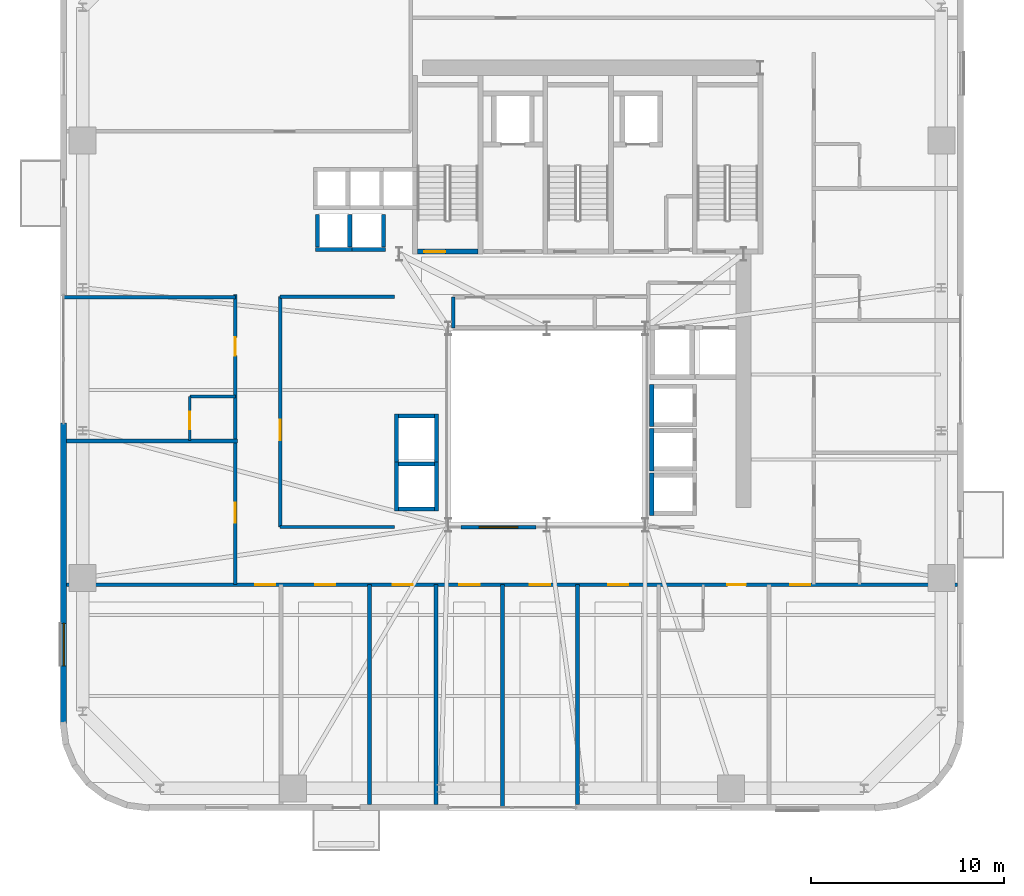
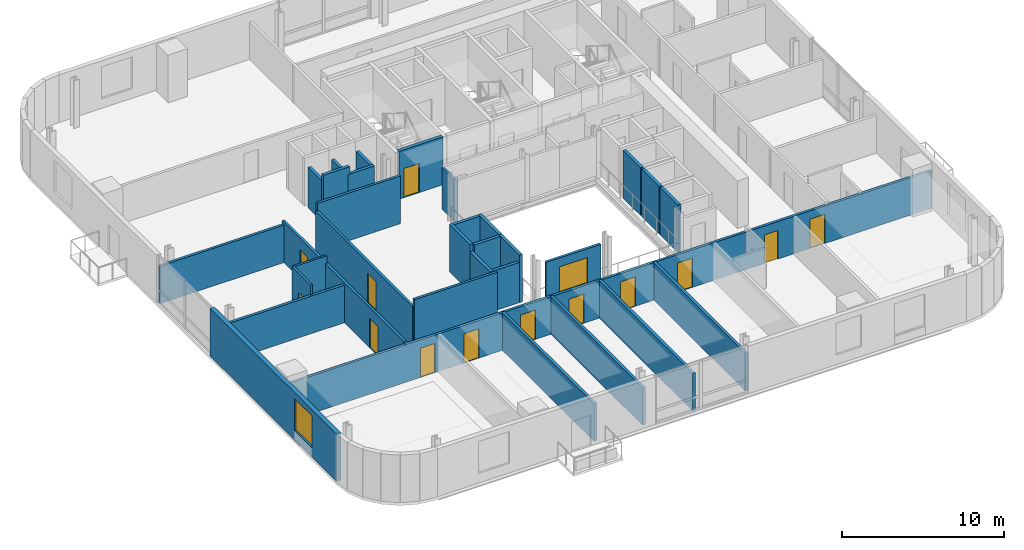
# One storey, part 7 of 14: 32 walls, 13 doors, 2 windows, 15 openings.
"""IFC4 building model written with IfcOpenShell, lengths in metres."""

from ifc_helpers import new_model, si_unit, direction, frame, frame_2d, origin, place, context, subcontext, project, spatial, rectangle, extrude, source, transform, mapped, material, layer, layer_set, type_object, element, fill, save


model = new_model("IFC4")

# Units and contexts
model_context = context("Model", 3, precision=1e-05, world=origin(), true_north=direction((0.0, 1.0)))
body_context = subcontext(model_context, "Body", "Model", "MODEL_VIEW")
ifc_project = project(units=[si_unit("LENGTHUNIT", "METRE"), si_unit("AREAUNIT", "SQUARE_METRE"), si_unit("VOLUMEUNIT", "CUBIC_METRE"), si_unit("PLANEANGLEUNIT", "RADIAN"), si_unit("MASSUNIT", "GRAM", prefix="KILO")], contexts=[model_context])

# Site, building, storey
site_placement = place(None, origin())
site = spatial("IfcSite", under=ifc_project, at=site_placement, CompositionType="ELEMENT")
building_placement = place(site_placement, origin())
building = spatial("IfcBuilding", under=site, at=building_placement, Name="Vardaveli Station Tower", CompositionType="ELEMENT")
storey_placement = place(building_placement, frame((0.0, 0.0, 177.199951171875)))
storey = spatial("IfcBuildingStorey", under=building, at=storey_placement, Name="L45", CompositionType="ELEMENT", Elevation=177.199951171875)

# Wall, opening, window
ifc_material_1 = material(Name="Precast concrete C45/55", Category="concrete")
ifc_layer_1 = layer(ifc_material_1, 0.320068359375, Name="Precast concrete C45/55")
ifc_layer_set_1 = layer_set([ifc_layer_1], Name="Precast concrete C45/55")
wall_type_1 = type_object("IfcWallType", Name="WAL-EXT-STONE-320", PredefinedType="SOLIDWALL", material=ifc_layer_set_1)
shared_shape_1 = source(origin(), body_context, "Body", "SweptSolid", [
    extrude(rectangle(XDim=15.599853515625, YDim=0.320068359375, at=frame_2d((7.7998046875, 0.0))), origin(), (0.0, 0.0, 1.0), 3.580078125),
])
wall_1_placement = place(storey_placement, frame((11.260009765625, 21.89990234375, 0.0), z_axis=(0.0, 0.0, 1.0), x_axis=(0.0, -1.0, 0.0)))
wall_1 = element("IfcWall", 1, at=wall_1_placement, inside=storey, type_object=wall_type_1, Name="EW-L45-W2", PredefinedType="SOLIDWALL", context=body_context, shape_type="MappedRepresentation", body=[
    mapped(shared_shape_1, transform((0.0, 0.0, 0.0), scale=1.0)),
])
shared_shape_2 = source(origin(), body_context, "Body", "SweptSolid", [
    extrude(rectangle(XDim=2.199951171875, YDim=2.39990234375, at=frame_2d((1.10009765625, 1.199951171875))), frame((0.0, 0.169921875, 0.0), z_axis=(0.0, -1.0, 0.0), x_axis=(1.0, 0.0, 0.0)), (0.0, 0.0, 1.0), 0.340087890625),
])
opening_1_placement = place(wall_1_placement, frame((10.39501953125, 0.0, 0.719970703125)))
opening_1 = element("IfcOpeningElement", 2, at=opening_1_placement, cuts=wall_1, Name="Opening W-03", PredefinedType="OPENING", context=body_context, shape_type="MappedRepresentation", body=[
    mapped(shared_shape_2, transform((0.0, 0.0, 0.0), scale=1.0)),
])
ifc_material_2 = material(Name="Low-E solar-control glass", Category="glass")
window_type_1 = type_object("IfcWindowType", Name="WIN-LOG-2200x2400", PartitioningType="SINGLE_PANEL", PredefinedType="WINDOW", material=ifc_material_2)
shared_shape_3 = source(origin(), body_context, "Body", "SweptSolid", [
    extrude(rectangle(XDim=2.199951171875, YDim=2.39990234375, at=frame_2d((1.10009765625, 1.199951171875))), frame((0.0, 0.030029296875, 0.0), z_axis=(0.0, -1.0, 0.0), x_axis=(1.0, 0.0, 0.0)), (0.0, 0.0, 1.0), 0.06005859375),
])
window_1_placement = place(opening_1_placement, origin())
window_1 = element("IfcWindow", 3, at=window_1_placement, inside=storey, type_object=window_type_1, Name="WN-L45-W2", OverallHeight=2.39990234375, OverallWidth=2.199951171875, PartitioningType="SINGLE_PANEL", PredefinedType="WINDOW", context=body_context, shape_type="MappedRepresentation", body=[
    mapped(shared_shape_3, transform((0.0, 0.0, 0.0), scale=1.0)),
])
fill(opening_1, window_1)

# Wall, opening, door
ifc_material_3 = material(Name="Concrete C40/50", Category="concrete")
ifc_layer_2 = layer(ifc_material_3, 0.25, Name="Concrete C40/50")
ifc_layer_set_2 = layer_set([ifc_layer_2], Name="Concrete C40/50")
wall_type_2 = type_object("IfcWallType", Name="WAL-SHAFT-250", PredefinedType="SOLIDWALL", material=ifc_layer_set_2)
shared_shape_4 = source(origin(), body_context, "Body", "SweptSolid", [
    extrude(rectangle(XDim=3.14990234375, YDim=0.25, at=frame_2d((1.574951171875, 0.0))), origin(), (0.0, 0.0, 1.0), 3.60009765625),
])
wall_2_placement = place(storey_placement, frame((29.60009765625, 30.77490234375, 0.0), z_axis=(0.0, 0.0, 1.0), x_axis=(1.0, 0.0, 0.0)))
wall_2 = element("IfcWall", 4, at=wall_2_placement, inside=storey, type_object=wall_type_2, Name="W-L45-ST-1S", PredefinedType="SOLIDWALL", context=body_context, shape_type="MappedRepresentation", body=[
    mapped(shared_shape_4, transform((0.0, 0.0, 0.0), scale=1.0)),
])
shared_shape_5 = source(origin(), body_context, "Body", "SweptSolid", [
    extrude(rectangle(XDim=1.10009765625, YDim=2.199951171875, at=frame_2d((0.550048828125, 1.10009765625))), frame((0.0, 0.135009765625, 0.0), z_axis=(0.0, -1.0, 0.0), x_axis=(1.0, 0.0, 0.0)), (0.0, 0.0, 1.0), 0.27001953125),
])
opening_2_placement = place(wall_2_placement, frame((0.35009765625, 0.0, 0.0)))
opening_2 = element("IfcOpeningElement", 5, at=opening_2_placement, cuts=wall_2, Name="Opening D-04", PredefinedType="OPENING", context=body_context, shape_type="MappedRepresentation", body=[
    mapped(shared_shape_5, transform((0.0, 0.0, 0.0), scale=1.0)),
])
ifc_material_4 = material(Name="Steel smokeproof fire doorset", Category="steel")
door_type_1 = type_object("IfcDoorType", Name="DR-ST-1100x2200", OperationType="NOTDEFINED", PredefinedType="DOOR", material=ifc_material_4)
shared_shape_6 = source(origin(), body_context, "Body", "SweptSolid", [
    extrude(rectangle(XDim=1.10009765625, YDim=2.199951171875, at=frame_2d((0.550048828125, 1.10009765625))), frame((0.0, 0.02490234375, 0.0), z_axis=(0.0, -1.0, 0.0), x_axis=(1.0, 0.0, 0.0)), (0.0, 0.0, 1.0), 0.050048828125),
])
door_1_placement = place(opening_2_placement, origin())
door_1 = element("IfcDoor", 6, at=door_1_placement, inside=storey, type_object=door_type_1, Name="DST-1-L45", OperationType="SINGLE_SWING_LEFT", OverallHeight=2.199951171875, OverallWidth=1.10009765625, PredefinedType="DOOR", context=body_context, shape_type="MappedRepresentation", body=[
    mapped(shared_shape_6, transform((0.0, 0.0, 0.0), scale=1.0)),
])
fill(opening_2, door_1)

# Walls
ifc_layer_3 = layer(ifc_material_3, 0.219970703125, Name="Concrete C40/50")
ifc_layer_set_3 = layer_set([ifc_layer_3], Name="Concrete C40/50")
wall_type_3 = type_object("IfcWallType", Name="WAL-FFLOBBY-220", PredefinedType="SOLIDWALL", material=ifc_layer_set_3)
shared_shape_7 = source(origin(), body_context, "Body", "SweptSolid", [
    extrude(rectangle(XDim=1.89013671875, YDim=0.219970703125, at=frame_2d((0.945068359375, 0.0))), origin(), (0.0, 0.0, 1.0), 3.580078125),
])
wall_3_placement = place(storey_placement, frame((24.304931640625, 30.889892578125, 0.0), z_axis=(0.0, 0.0, 1.0), x_axis=(1.0, 0.0, 0.0)))
element("IfcWall", 7, at=wall_3_placement, inside=storey, type_object=wall_type_3, Name="SHW-SHU-01-L45-S", PredefinedType="SOLIDWALL", context=body_context, shape_type="MappedRepresentation", body=[
    mapped(shared_shape_7, transform((0.0, 0.0, 0.0), scale=1.0)),
])
shared_shape_8 = source(origin(), body_context, "Body", "SweptSolid", [
    extrude(rectangle(XDim=1.699951171875, YDim=0.219970703125, at=frame_2d((0.85009765625, 0.0))), origin(), (0.0, 0.0, 1.0), 3.02197265625),
])
for number, where, z_axis, x_axis, name in (
    (8, (24.4150390625, 31.0, 0.0), (0.0, 0.0, 1.0), (0.0, 1.0, 0.0), "SHW-SHU-01-L45-W"),
    (9, (26.0849609375, 31.0, 0.0), (0.0, 0.0, 1.0), (0.0, 1.0, 0.0), "SHW-SHU-01-L45-E"),
    (10, (27.8349609375, 31.0, 0.0), (0.0, 0.0, 1.0), (0.0, 1.0, 0.0), "SHW-SHU-02-L45-E"),
):
    element("IfcWall", number, at=place(storey_placement, frame(where, z_axis=z_axis, x_axis=x_axis)), inside=storey, type_object=wall_type_3, Name=name, PredefinedType="SOLIDWALL", context=body_context, shape_type="MappedRepresentation", body=[
        mapped(shared_shape_8, transform((0.0, 0.0, 0.0), scale=1.0)),
    ])
shared_shape_9 = source(origin(), body_context, "Body", "SweptSolid", [
    extrude(rectangle(XDim=1.89013671875, YDim=0.219970703125, at=frame_2d((0.945068359375, 0.0))), origin(), (0.0, 0.0, 1.0), 3.02197265625),
])
wall_4_placement = place(storey_placement, frame((26.054931640625, 30.889892578125, 0.0), z_axis=(0.0, 0.0, 1.0), x_axis=(1.0, 0.0, 0.0)))
element("IfcWall", 11, at=wall_4_placement, inside=storey, type_object=wall_type_3, Name="SHW-SHU-02-L45-S", PredefinedType="SOLIDWALL", context=body_context, shape_type="MappedRepresentation", body=[
    mapped(shared_shape_9, transform((0.0, 0.0, 0.0), scale=1.0)),
])
shared_shape_10 = source(origin(), body_context, "Body", "SweptSolid", [
    extrude(rectangle(XDim=2.18994140625, YDim=0.219970703125, at=frame_2d((1.094970703125, 0.0))), origin(), (0.0, 0.0, 1.0), 3.580078125),
])
for number, where, z_axis, x_axis, name in (
    (12, (41.739990234375, 21.705078125, 0.0), (0.0, 0.0, 1.0), (0.0, 1.0, 0.0), "SHW-HL3-01-L45-W"),
    (13, (41.739990234375, 19.405029296875, 0.0), (0.0, 0.0, 1.0), (0.0, 1.0, 0.0), "SHW-HL3-02-L45-W"),
    (14, (41.739990234375, 17.10498046875, 0.0), (0.0, 0.0, 1.0), (0.0, 1.0, 0.0), "SHW-HL3-03-L45-W"),
):
    element("IfcWall", number, at=place(storey_placement, frame(where, z_axis=z_axis, x_axis=x_axis)), inside=storey, type_object=wall_type_3, Name=name, PredefinedType="SOLIDWALL", context=body_context, shape_type="MappedRepresentation", body=[
        mapped(shared_shape_10, transform((0.0, 0.0, 0.0), scale=1.0)),
    ])
shared_shape_11 = source(origin(), body_context, "Body", "SweptSolid", [
    extrude(rectangle(XDim=1.85009765625, YDim=0.219970703125, at=frame_2d((0.925048828125, 0.0))), origin(), (0.0, 0.0, 1.0), 3.02197265625),
])
wall_5_placement = place(storey_placement, frame((28.625, 17.43994140625, 0.0), z_axis=(0.0, 0.0, 1.0), x_axis=(1.0, 0.0, 0.0)))
element("IfcWall", 15, at=wall_5_placement, inside=storey, type_object=wall_type_3, Name="SHW-OBS-01-L45-S", PredefinedType="SOLIDWALL", context=body_context, shape_type="MappedRepresentation", body=[
    mapped(shared_shape_11, transform((0.0, 0.0, 0.0), scale=1.0)),
])
shared_shape_12 = source(origin(), body_context, "Body", "SweptSolid", [
    extrude(rectangle(XDim=1.85009765625, YDim=0.219970703125, at=frame_2d((0.925048828125, 0.0))), origin(), (0.0, 0.0, 1.0), 3.580078125),
])
for number, where, z_axis, x_axis, name in (
    (16, (28.625, 19.760009765625, 0.0), (0.0, 0.0, 1.0), (1.0, 0.0, 0.0), "SHW-OBS-01-L45-N"),
    (17, (28.625, 22.260009765625, 0.0), (0.0, 0.0, 1.0), (1.0, 0.0, 0.0), "SHW-OBS-02-L45-N"),
):
    element("IfcWall", number, at=place(storey_placement, frame(where, z_axis=z_axis, x_axis=x_axis)), inside=storey, type_object=wall_type_3, Name=name, PredefinedType="SOLIDWALL", context=body_context, shape_type="MappedRepresentation", body=[
        mapped(shared_shape_12, transform((0.0, 0.0, 0.0), scale=1.0)),
    ])
shared_shape_13 = source(origin(), body_context, "Body", "SweptSolid", [
    extrude(rectangle(XDim=2.5400390625, YDim=0.219970703125, at=frame_2d((1.27001953125, 0.0))), origin(), (0.0, 0.0, 1.0), 3.02197265625),
])
wall_6_placement = place(storey_placement, frame((28.514892578125, 17.330078125, 0.0), z_axis=(0.0, 0.0, 1.0), x_axis=(0.0, 1.0, 0.0)))
element("IfcWall", 18, at=wall_6_placement, inside=storey, type_object=wall_type_3, Name="SHW-OBS-01-L45-W", PredefinedType="SOLIDWALL", context=body_context, shape_type="MappedRepresentation", body=[
    mapped(shared_shape_13, transform((0.0, 0.0, 0.0), scale=1.0)),
])
shared_shape_14 = source(origin(), body_context, "Body", "SweptSolid", [
    extrude(rectangle(XDim=2.5400390625, YDim=0.219970703125, at=frame_2d((1.27001953125, 0.0))), origin(), (0.0, 0.0, 1.0), 3.580078125),
])
for number, where, z_axis, x_axis, name in (
    (19, (30.5849609375, 17.330078125, 0.0), (0.0, 0.0, 1.0), (0.0, 1.0, 0.0), "SHW-OBS-01-L45-E"),
    (20, (28.514892578125, 19.830078125, 0.0), (0.0, 0.0, 1.0), (0.0, 1.0, 0.0), "SHW-OBS-02-L45-W"),
    (21, (30.5849609375, 19.830078125, 0.0), (0.0, 0.0, 1.0), (0.0, 1.0, 0.0), "SHW-OBS-02-L45-E"),
):
    element("IfcWall", number, at=place(storey_placement, frame(where, z_axis=z_axis, x_axis=x_axis)), inside=storey, type_object=wall_type_3, Name=name, PredefinedType="SOLIDWALL", context=body_context, shape_type="MappedRepresentation", body=[
        mapped(shared_shape_14, transform((0.0, 0.0, 0.0), scale=1.0)),
    ])

# Wall, openings, doors
ifc_material_5 = material(Name="Fire-rated gypsum stud partition")
ifc_layer_4 = layer(ifc_material_5, 0.179931640625, Name="Fire-rated gypsum stud partition")
ifc_layer_set_4 = layer_set([ifc_layer_4], Name="Fire-rated gypsum stud partition")
wall_type_4 = type_object("IfcWallType", Name="WAL-CORR-180", PredefinedType="PARTITIONING", material=ifc_layer_set_4)
shared_shape_15 = source(origin(), body_context, "Body", "SweptSolid", [
    extrude(rectangle(XDim=46.15576171875, YDim=0.179931640625, at=frame_2d((23.077880859375, 0.0))), origin(), (0.0, 0.0, 1.0), 2.822021484375),
])
wall_7_placement = place(storey_placement, frame((11.422119140625, 13.510009765625, 0.0), z_axis=(0.0, 0.0, 1.0), x_axis=(1.0, 0.0, 0.0)))
wall_7 = element("IfcWall", 22, at=wall_7_placement, inside=storey, type_object=wall_type_4, Name="W-L45-CS", PredefinedType="PARTITIONING", context=body_context, shape_type="MappedRepresentation", body=[
    mapped(shared_shape_15, transform((0.0, 0.0, 0.0), scale=1.0)),
])
shared_shape_16 = source(origin(), body_context, "Body", "SweptSolid", [
    extrude(rectangle(XDim=1.050048828125, YDim=2.199951171875, at=frame_2d((0.52490234375, 1.10009765625))), frame((0.0, 0.10009765625, 0.0), z_axis=(0.0, -1.0, 0.0), x_axis=(1.0, 0.0, 0.0)), (0.0, 0.0, 1.0), 0.199951171875),
])
opening_3_placement = place(wall_7_placement, frame((9.758056640625, 0.0, 0.0)))
opening_3 = element("IfcOpeningElement", 23, at=opening_3_placement, cuts=wall_7, Name="Opening D-05", PredefinedType="OPENING", context=body_context, shape_type="MappedRepresentation", body=[
    mapped(shared_shape_16, transform((0.0, 0.0, 0.0), scale=1.0)),
])
opening_4_placement = place(wall_7_placement, frame((12.878173828125, 0.0, 0.0)))
opening_4 = element("IfcOpeningElement", 24, at=opening_4_placement, cuts=wall_7, Name="Opening D-05", PredefinedType="OPENING", context=body_context, shape_type="MappedRepresentation", body=[
    mapped(shared_shape_16, transform((0.0, 0.0, 0.0), scale=1.0)),
])
opening_5_placement = place(wall_7_placement, frame((16.893310546875, 0.0, 0.0)))
opening_5 = element("IfcOpeningElement", 25, at=opening_5_placement, cuts=wall_7, Name="Opening D-05", PredefinedType="OPENING", context=body_context, shape_type="MappedRepresentation", body=[
    mapped(shared_shape_16, transform((0.0, 0.0, 0.0), scale=1.0)),
])
opening_6_placement = place(wall_7_placement, frame((20.343505859375, 0.0, 0.0)))
opening_6 = element("IfcOpeningElement", 26, at=opening_6_placement, cuts=wall_7, Name="Opening D-05", PredefinedType="OPENING", context=body_context, shape_type="MappedRepresentation", body=[
    mapped(shared_shape_16, transform((0.0, 0.0, 0.0), scale=1.0)),
])
opening_7_placement = place(wall_7_placement, frame((24.00830078125, 0.0, 0.0)))
opening_7 = element("IfcOpeningElement", 27, at=opening_7_placement, cuts=wall_7, Name="Opening D-05", PredefinedType="OPENING", context=body_context, shape_type="MappedRepresentation", body=[
    mapped(shared_shape_16, transform((0.0, 0.0, 0.0), scale=1.0)),
])
opening_8_placement = place(wall_7_placement, frame((28.055419921875, 0.0, 0.0)))
opening_8 = element("IfcOpeningElement", 28, at=opening_8_placement, cuts=wall_7, Name="Opening D-05", PredefinedType="OPENING", context=body_context, shape_type="MappedRepresentation", body=[
    mapped(shared_shape_16, transform((0.0, 0.0, 0.0), scale=1.0)),
])
shared_shape_17 = source(origin(), body_context, "Body", "SweptSolid", [
    extrude(rectangle(XDim=0.949951171875, YDim=2.14990234375, at=frame_2d((0.47509765625, 1.074951171875))), frame((0.0, 0.10009765625, 0.0), z_axis=(0.0, -1.0, 0.0), x_axis=(1.0, 0.0, 0.0)), (0.0, 0.0, 1.0), 0.199951171875),
])
opening_9_placement = place(wall_7_placement, frame((34.24560546875, 0.0, 0.0)))
opening_9 = element("IfcOpeningElement", 29, at=opening_9_placement, cuts=wall_7, Name="Opening D-06", PredefinedType="OPENING", context=body_context, shape_type="MappedRepresentation", body=[
    mapped(shared_shape_17, transform((0.0, 0.0, 0.0), scale=1.0)),
])
opening_10_placement = place(wall_7_placement, frame((37.498046875, 0.0, 0.0)))
opening_10 = element("IfcOpeningElement", 30, at=opening_10_placement, cuts=wall_7, Name="Opening D-05", PredefinedType="OPENING", context=body_context, shape_type="MappedRepresentation", body=[
    mapped(shared_shape_16, transform((0.0, 0.0, 0.0), scale=1.0)),
])
ifc_material_6 = material(Name="Walnut veneer acoustic fire door")
door_type_2 = type_object("IfcDoorType", Name="DR-SUITE-1050x2200", OperationType="NOTDEFINED", PredefinedType="DOOR", material=ifc_material_6)
shared_shape_18 = source(origin(), body_context, "Body", "SweptSolid", [
    extrude(rectangle(XDim=1.050048828125, YDim=2.199951171875, at=frame_2d((0.52490234375, 1.10009765625))), frame((0.0, 0.02490234375, 0.0), z_axis=(0.0, -1.0, 0.0), x_axis=(1.0, 0.0, 0.0)), (0.0, 0.0, 1.0), 0.050048828125),
])
door_2_placement = place(opening_3_placement, origin())
door_2 = element("IfcDoor", 31, at=door_2_placement, inside=storey, type_object=door_type_2, Name="D-L45-SA1", OperationType="SINGLE_SWING_LEFT", OverallHeight=2.199951171875, OverallWidth=1.050048828125, PredefinedType="DOOR", context=body_context, shape_type="MappedRepresentation", body=[
    mapped(shared_shape_18, transform((0.0, 0.0, 0.0), scale=1.0)),
])
fill(opening_3, door_2)
door_3_placement = place(opening_4_placement, origin())
door_3 = element("IfcDoor", 32, at=door_3_placement, inside=storey, type_object=door_type_2, Name="D-L45-SA2", OperationType="SINGLE_SWING_RIGHT", OverallHeight=2.199951171875, OverallWidth=1.050048828125, PredefinedType="DOOR", context=body_context, shape_type="MappedRepresentation", body=[
    mapped(shared_shape_18, transform((0.0, 0.0, 0.0), scale=1.0)),
])
fill(opening_4, door_3)
door_4_placement = place(opening_5_placement, origin())
door_4 = element("IfcDoor", 33, at=door_4_placement, inside=storey, type_object=door_type_2, Name="D-L45-SA3", OperationType="SINGLE_SWING_LEFT", OverallHeight=2.199951171875, OverallWidth=1.050048828125, PredefinedType="DOOR", context=body_context, shape_type="MappedRepresentation", body=[
    mapped(shared_shape_18, transform((0.0, 0.0, 0.0), scale=1.0)),
])
fill(opening_5, door_4)
door_5_placement = place(opening_6_placement, origin())
door_5 = element("IfcDoor", 34, at=door_5_placement, inside=storey, type_object=door_type_2, Name="D-L45-SA4", OperationType="SINGLE_SWING_RIGHT", OverallHeight=2.199951171875, OverallWidth=1.050048828125, PredefinedType="DOOR", context=body_context, shape_type="MappedRepresentation", body=[
    mapped(shared_shape_18, transform((0.0, 0.0, 0.0), scale=1.0)),
])
fill(opening_6, door_5)
door_6_placement = place(opening_7_placement, origin())
door_6 = element("IfcDoor", 35, at=door_6_placement, inside=storey, type_object=door_type_2, Name="D-L45-SA5", OperationType="SINGLE_SWING_LEFT", OverallHeight=2.199951171875, OverallWidth=1.050048828125, PredefinedType="DOOR", context=body_context, shape_type="MappedRepresentation", body=[
    mapped(shared_shape_18, transform((0.0, 0.0, 0.0), scale=1.0)),
])
fill(opening_7, door_6)
door_7_placement = place(opening_8_placement, origin())
door_7 = element("IfcDoor", 36, at=door_7_placement, inside=storey, type_object=door_type_2, Name="D-L45-SA6", OperationType="SINGLE_SWING_RIGHT", OverallHeight=2.199951171875, OverallWidth=1.050048828125, PredefinedType="DOOR", context=body_context, shape_type="MappedRepresentation", body=[
    mapped(shared_shape_18, transform((0.0, 0.0, 0.0), scale=1.0)),
])
fill(opening_8, door_7)
door_8_placement = place(opening_10_placement, origin())
door_8 = element("IfcDoor", 37, at=door_8_placement, inside=storey, type_object=door_type_2, Name="D-L45-SA8", OperationType="SINGLE_SWING_RIGHT", OverallHeight=2.199951171875, OverallWidth=1.050048828125, PredefinedType="DOOR", context=body_context, shape_type="MappedRepresentation", body=[
    mapped(shared_shape_18, transform((0.0, 0.0, 0.0), scale=1.0)),
])
fill(opening_10, door_8)
ifc_material_7 = material(Name="Oak veneer acoustic fire door")
door_type_3 = type_object("IfcDoorType", Name="DR-GUEST-950x2150", OperationType="NOTDEFINED", PredefinedType="DOOR", material=ifc_material_7)
shared_shape_19 = source(origin(), body_context, "Body", "SweptSolid", [
    extrude(rectangle(XDim=0.949951171875, YDim=2.14990234375, at=frame_2d((0.47509765625, 1.074951171875))), frame((0.0, 0.02490234375, 0.0), z_axis=(0.0, -1.0, 0.0), x_axis=(1.0, 0.0, 0.0)), (0.0, 0.0, 1.0), 0.050048828125),
])
door_9_placement = place(opening_9_placement, origin())
door_9 = element("IfcDoor", 38, at=door_9_placement, inside=storey, type_object=door_type_3, Name="D-L45-GS7", OperationType="SINGLE_SWING_LEFT", OverallHeight=2.14990234375, OverallWidth=0.949951171875, PredefinedType="DOOR", context=body_context, shape_type="MappedRepresentation", body=[
    mapped(shared_shape_19, transform((0.0, 0.0, 0.0), scale=1.0)),
])
fill(opening_9, door_9)

shared_shape_20 = source(origin(), body_context, "Body", "SweptSolid", [
    extrude(rectangle(XDim=15.0400390625, YDim=0.179931640625, at=frame_2d((7.52001953125, 0.0))), origin(), (0.0, 0.0, 1.0), 3.02197265625),
])
wall_8_placement = place(storey_placement, frame((20.159912109375, 13.510009765625, 0.0), z_axis=(0.0, 0.0, 1.0), x_axis=(0.0, 1.0, 0.0)))
wall_8 = element("IfcWall", 39, at=wall_8_placement, inside=storey, type_object=wall_type_4, Name="W-L45-CW", PredefinedType="PARTITIONING", context=body_context, shape_type="MappedRepresentation", body=[
    mapped(shared_shape_20, transform((0.0, 0.0, 0.0), scale=1.0)),
])
opening_11_placement = place(wall_8_placement, frame((3.202392578125, 0.0, 0.0)))
opening_11 = element("IfcOpeningElement", 40, at=opening_11_placement, cuts=wall_8, Name="Opening D-05", PredefinedType="OPENING", context=body_context, shape_type="MappedRepresentation", body=[
    mapped(shared_shape_16, transform((0.0, 0.0, 0.0), scale=1.0)),
])
opening_12_placement = place(wall_8_placement, frame((11.87255859375, 0.0, 0.0)))
opening_12 = element("IfcOpeningElement", 41, at=opening_12_placement, cuts=wall_8, Name="Opening D-06", PredefinedType="OPENING", context=body_context, shape_type="MappedRepresentation", body=[
    mapped(shared_shape_17, transform((0.0, 0.0, 0.0), scale=1.0)),
])
door_10_placement = place(opening_11_placement, origin())
door_10 = element("IfcDoor", 42, at=door_10_placement, inside=storey, type_object=door_type_2, Name="D-L45-GW1", OperationType="SINGLE_SWING_LEFT", OverallHeight=2.199951171875, OverallWidth=1.050048828125, PredefinedType="DOOR", context=body_context, shape_type="MappedRepresentation", body=[
    mapped(shared_shape_18, transform((0.0, 0.0, 0.0), scale=1.0)),
])
fill(opening_11, door_10)
door_11_placement = place(opening_12_placement, origin())
door_11 = element("IfcDoor", 43, at=door_11_placement, inside=storey, type_object=door_type_3, Name="D-L45-GW2", OperationType="SINGLE_SWING_RIGHT", OverallHeight=2.14990234375, OverallWidth=0.949951171875, PredefinedType="DOOR", context=body_context, shape_type="MappedRepresentation", body=[
    mapped(shared_shape_19, transform((0.0, 0.0, 0.0), scale=1.0)),
])
fill(opening_12, door_11)

# Wall, opening, door
shared_shape_21 = source(origin(), body_context, "Body", "SweptSolid", [
    extrude(rectangle(XDim=11.93994140625, YDim=0.179931640625, at=frame_2d((5.969970703125, 0.0))), origin(), (0.0, 0.0, 1.0), 3.02197265625),
])
wall_9_placement = place(storey_placement, frame((22.47998046875, 16.5, 0.0), z_axis=(0.0, 0.0, 1.0), x_axis=(0.0, 1.0, 0.0)))
wall_9 = element("IfcWall", 44, at=wall_9_placement, inside=storey, type_object=wall_type_4, Name="W-L45-ATW-W", PredefinedType="PARTITIONING", context=body_context, shape_type="MappedRepresentation", body=[
    mapped(shared_shape_21, transform((0.0, 0.0, 0.0), scale=1.0)),
])
opening_13_placement = place(wall_9_placement, frame((4.5, 0.0, 0.0)))
opening_13 = element("IfcOpeningElement", 45, at=opening_13_placement, cuts=wall_9, Name="Opening D-05", PredefinedType="OPENING", context=body_context, shape_type="MappedRepresentation", body=[
    mapped(shared_shape_16, transform((0.0, 0.0, 0.0), scale=1.0)),
])
door_12_placement = place(opening_13_placement, origin())
door_12 = element("IfcDoor", 46, at=door_12_placement, inside=storey, type_object=door_type_2, Name="D-L45-ATW1", OperationType="SINGLE_SWING_LEFT", OverallHeight=2.199951171875, OverallWidth=1.050048828125, PredefinedType="DOOR", context=body_context, shape_type="MappedRepresentation", body=[
    mapped(shared_shape_18, transform((0.0, 0.0, 0.0), scale=1.0)),
])
fill(opening_13, door_12)

ifc_material_8 = material(Name="Moisture-resistant stud partition")
ifc_layer_5 = layer(ifc_material_8, 0.14990234375, Name="Moisture-resistant stud partition")
ifc_layer_set_5 = layer_set([ifc_layer_5], Name="Moisture-resistant stud partition")
wall_type_5 = type_object("IfcWallType", Name="WAL-WET-150", PredefinedType="PARTITIONING", material=ifc_layer_set_5)
shared_shape_22 = source(origin(), body_context, "Body", "SweptSolid", [
    extrude(rectangle(XDim=2.289794921875, YDim=0.14990234375, at=frame_2d((1.14501953125, 0.0))), origin(), (0.0, 0.0, 1.0), 3.580078125),
])
wall_10_placement = place(storey_placement, frame((17.800048828125, 20.97509765625, 0.0), z_axis=(0.0, 0.0, 1.0), x_axis=(0.0, 1.0, 0.0)))
wall_10 = element("IfcWall", 47, at=wall_10_placement, inside=storey, type_object=wall_type_5, Name="W-L45-BW2-W", PredefinedType="PARTITIONING", context=body_context, shape_type="MappedRepresentation", body=[
    mapped(shared_shape_22, transform((0.0, 0.0, 0.0), scale=1.0)),
])
shared_shape_23 = source(origin(), body_context, "Body", "SweptSolid", [
    extrude(rectangle(XDim=0.89990234375, YDim=2.10009765625, at=frame_2d((0.449951171875, 1.050048828125))), frame((0.0, 0.0849609375, 0.0), z_axis=(0.0, -1.0, 0.0), x_axis=(1.0, 0.0, 0.0)), (0.0, 0.0, 1.0), 0.169921875),
])
opening_14_placement = place(wall_10_placement, frame((0.60009765625, 0.0, 0.0)))
opening_14 = element("IfcOpeningElement", 48, at=opening_14_placement, cuts=wall_10, Name="Opening D-08", PredefinedType="OPENING", context=body_context, shape_type="MappedRepresentation", body=[
    mapped(shared_shape_23, transform((0.0, 0.0, 0.0), scale=1.0)),
])
ifc_material_9 = material(Name="Moisture-resistant oak door")
door_type_4 = type_object("IfcDoorType", Name="DR-BATH-900x2100", OperationType="NOTDEFINED", PredefinedType="DOOR", material=ifc_material_9)
shared_shape_24 = source(origin(), body_context, "Body", "SweptSolid", [
    extrude(rectangle(XDim=0.89990234375, YDim=2.10009765625, at=frame_2d((0.449951171875, 1.050048828125))), frame((0.0, 0.02490234375, 0.0), z_axis=(0.0, -1.0, 0.0), x_axis=(1.0, 0.0, 0.0)), (0.0, 0.0, 1.0), 0.050048828125),
])
door_13_placement = place(opening_14_placement, origin())
door_13 = element("IfcDoor", 49, at=door_13_placement, inside=storey, type_object=door_type_4, Name="D-L45-BW2", OperationType="SINGLE_SWING_LEFT", OverallHeight=2.10009765625, OverallWidth=0.89990234375, PredefinedType="DOOR", context=body_context, shape_type="MappedRepresentation", body=[
    mapped(shared_shape_24, transform((0.0, 0.0, 0.0), scale=1.0)),
])
fill(opening_14, door_13)

# Walls
ifc_material_10 = material(Name="Acoustic twin-stud gypsum partition")
ifc_layer_6 = layer(ifc_material_10, 0.199951171875, Name="Acoustic twin-stud gypsum partition")
ifc_layer_set_6 = layer_set([ifc_layer_6], Name="Acoustic twin-stud gypsum partition")
wall_type_6 = type_object("IfcWallType", Name="WAL-PARTY-200", PredefinedType="PARTITIONING", material=ifc_layer_set_6)
shared_shape_25 = source(origin(), body_context, "Body", "SweptSolid", [
    extrude(rectangle(XDim=11.387939453125, YDim=0.199951171875, at=frame_2d((5.69384765625, 0.0))), origin(), (0.0, 0.0, 1.0), 2.822021484375),
])
for number, where, z_axis, x_axis, name in (
    (50, (27.110107421875, 2.1220703125, 0.0), (0.0, 0.0, 1.0), (0.0, 1.0, 0.0), "W-L45-PS2"),
    (51, (30.56005859375, 2.1220703125, 0.0), (0.0, 0.0, 1.0), (0.0, 1.0, 0.0), "W-L45-PS3"),
    (52, (37.889892578125, 2.1220703125, 0.0), (0.0, 0.0, 1.0), (0.0, 1.0, 0.0), "W-L45-PS5"),
):
    element("IfcWall", number, at=place(storey_placement, frame(where, z_axis=z_axis, x_axis=x_axis)), inside=storey, type_object=wall_type_6, Name=name, PredefinedType="PARTITIONING", context=body_context, shape_type="MappedRepresentation", body=[
        mapped(shared_shape_25, transform((0.0, 0.0, 0.0), scale=1.0)),
    ])
shared_shape_26 = source(origin(), body_context, "Body", "SweptSolid", [
    extrude(rectangle(XDim=11.580078125, YDim=0.199951171875, at=frame_2d((5.7900390625, 0.0))), origin(), (0.0, 0.0, 1.0), 2.822021484375),
])
wall_11_placement = place(storey_placement, frame((34.010009765625, 1.929931640625, 0.0), z_axis=(0.0, 0.0, 1.0), x_axis=(0.0, 1.0, 0.0)))
element("IfcWall", 53, at=wall_11_placement, inside=storey, type_object=wall_type_6, Name="W-L45-PS4", PredefinedType="PARTITIONING", context=body_context, shape_type="MappedRepresentation", body=[
    mapped(shared_shape_26, transform((0.0, 0.0, 0.0), scale=1.0)),
])
shared_shape_27 = source(origin(), body_context, "Body", "SweptSolid", [
    extrude(rectangle(XDim=8.837890625, YDim=0.199951171875, at=frame_2d((4.4189453125, 0.0))), origin(), (0.0, 0.0, 1.0), 2.822021484375),
])
wall_12_placement = place(storey_placement, frame((11.422119140625, 20.955078125, 0.0), z_axis=(0.0, 0.0, 1.0), x_axis=(1.0, 0.0, 0.0)))
element("IfcWall", 54, at=wall_12_placement, inside=storey, type_object=wall_type_6, Name="W-L45-PW1", PredefinedType="PARTITIONING", context=body_context, shape_type="MappedRepresentation", body=[
    mapped(shared_shape_27, transform((0.0, 0.0, 0.0), scale=1.0)),
])
shared_shape_28 = source(origin(), body_context, "Body", "SweptSolid", [
    extrude(rectangle(XDim=8.929931640625, YDim=0.179931640625, at=frame_2d((4.46484375, 0.0))), origin(), (0.0, 0.0, 1.0), 2.822021484375),
])
wall_13_placement = place(storey_placement, frame((11.22998046875, 28.39990234375, 0.0), z_axis=(0.0, 0.0, 1.0), x_axis=(1.0, 0.0, 0.0)))
element("IfcWall", 55, at=wall_13_placement, inside=storey, type_object=wall_type_4, Name="W-L45-CWN", PredefinedType="PARTITIONING", context=body_context, shape_type="MappedRepresentation", body=[
    mapped(shared_shape_28, transform((0.0, 0.0, 0.0), scale=1.0)),
])
shared_shape_29 = source(origin(), body_context, "Body", "SweptSolid", [
    extrude(rectangle(XDim=5.919921875, YDim=0.179931640625, at=frame_2d((2.9599609375, 0.0))), origin(), (0.0, 0.0, 1.0), 3.580078125),
])
for number, where, z_axis, x_axis, name in (
    (56, (22.47998046875, 16.5, 0.0), (0.0, 0.0, 1.0), (1.0, 0.0, 0.0), "W-L45-ATW-S"),
    (57, (22.47998046875, 28.43994140625, 0.0), (0.0, 0.0, 1.0), (1.0, 0.0, 0.0), "W-L45-ATW-N"),
):
    element("IfcWall", number, at=place(storey_placement, frame(where, z_axis=z_axis, x_axis=x_axis)), inside=storey, type_object=wall_type_4, Name=name, PredefinedType="PARTITIONING", context=body_context, shape_type="MappedRepresentation", body=[
        mapped(shared_shape_29, transform((0.0, 0.0, 0.0), scale=1.0)),
    ])
shared_shape_30 = source(origin(), body_context, "Body", "SweptSolid", [
    extrude(rectangle(XDim=2.35986328125, YDim=0.14990234375, at=frame_2d((1.179931640625, 0.0))), origin(), (0.0, 0.0, 1.0), 3.580078125),
])
wall_14_placement = place(storey_placement, frame((17.800048828125, 23.264892578125, 0.0), z_axis=(0.0, 0.0, 1.0), x_axis=(1.0, 0.0, 0.0)))
element("IfcWall", 58, at=wall_14_placement, inside=storey, type_object=wall_type_5, Name="W-L45-BW2-N", PredefinedType="PARTITIONING", context=body_context, shape_type="MappedRepresentation", body=[
    mapped(shared_shape_30, transform((0.0, 0.0, 0.0), scale=1.0)),
])
shared_shape_31 = source(origin(), body_context, "Body", "SweptSolid", [
    extrude(rectangle(XDim=1.599853515625, YDim=0.179931640625, at=frame_2d((0.7998046875, 0.0))), origin(), (0.0, 0.0, 1.0), 3.1220703125),
])
wall_15_placement = place(storey_placement, frame((31.449951171875, 26.820068359375, 0.0), z_axis=(0.0, 0.0, 1.0), x_axis=(0.0, 1.0, 0.0)))
element("IfcWall", 59, at=wall_15_placement, inside=storey, type_object=wall_type_4, Name="W-L45-HKP0-W", PredefinedType="PARTITIONING", context=body_context, shape_type="MappedRepresentation", body=[
    mapped(shared_shape_31, transform((0.0, 0.0, 0.0), scale=1.0)),
])

# Wall, opening, window
shared_shape_32 = source(origin(), body_context, "Body", "SweptSolid", [
    extrude(rectangle(XDim=3.89990234375, YDim=0.179931640625, at=frame_2d((1.949951171875, 0.0))), origin(), (0.0, 0.0, 1.0), 3.1220703125),
])
wall_16_placement = place(storey_placement, frame((31.85009765625, 16.47998046875, 0.0), z_axis=(0.0, 0.0, 1.0), x_axis=(1.0, 0.0, 0.0)))
wall_16 = element("IfcWall", 60, at=wall_16_placement, inside=storey, type_object=wall_type_4, Name="WAT-L45-S", PredefinedType="PARTITIONING", context=body_context, shape_type="MappedRepresentation", body=[
    mapped(shared_shape_32, transform((0.0, 0.0, 0.0), scale=1.0)),
])
shared_shape_33 = source(origin(), body_context, "Body", "SweptSolid", [
    extrude(rectangle(XDim=2.0, YDim=1.89990234375, at=frame_2d((1.0, 0.949951171875))), frame((0.0, 0.10009765625, 0.0), z_axis=(0.0, -1.0, 0.0), x_axis=(1.0, 0.0, 0.0)), (0.0, 0.0, 1.0), 0.199951171875),
])
opening_15_placement = place(wall_16_placement, frame((0.949951171875, 0.0, 0.550048828125)))
opening_15 = element("IfcOpeningElement", 61, at=opening_15_placement, cuts=wall_16, Name="Opening W-07", PredefinedType="OPENING", context=body_context, shape_type="MappedRepresentation", body=[
    mapped(shared_shape_33, transform((0.0, 0.0, 0.0), scale=1.0)),
])
ifc_material_11 = material(Name="Tempered EI 60 fire-rated glass", Category="glass")
window_type_2 = type_object("IfcWindowType", Name="WIN-ATRIUM-2000x2400", PartitioningType="SINGLE_PANEL", PredefinedType="WINDOW", material=ifc_material_11)
shared_shape_34 = source(origin(), body_context, "Body", "SweptSolid", [
    extrude(rectangle(XDim=2.0, YDim=1.89990234375, at=frame_2d((1.0, 0.949951171875))), frame((0.0, 0.030029296875, 0.0), z_axis=(0.0, -1.0, 0.0), x_axis=(1.0, 0.0, 0.0)), (0.0, 0.0, 1.0), 0.06005859375),
])
window_2_placement = place(opening_15_placement, origin())
window_2 = element("IfcWindow", 62, at=window_2_placement, inside=storey, type_object=window_type_2, Name="WNAT-L45-1", OverallHeight=1.89990234375, OverallWidth=2.0, PartitioningType="SINGLE_PANEL", PredefinedType="WINDOW", context=body_context, shape_type="MappedRepresentation", body=[
    mapped(shared_shape_34, transform((0.0, 0.0, 0.0), scale=1.0)),
])
fill(opening_15, window_2)

save(model, "model.ifc")
